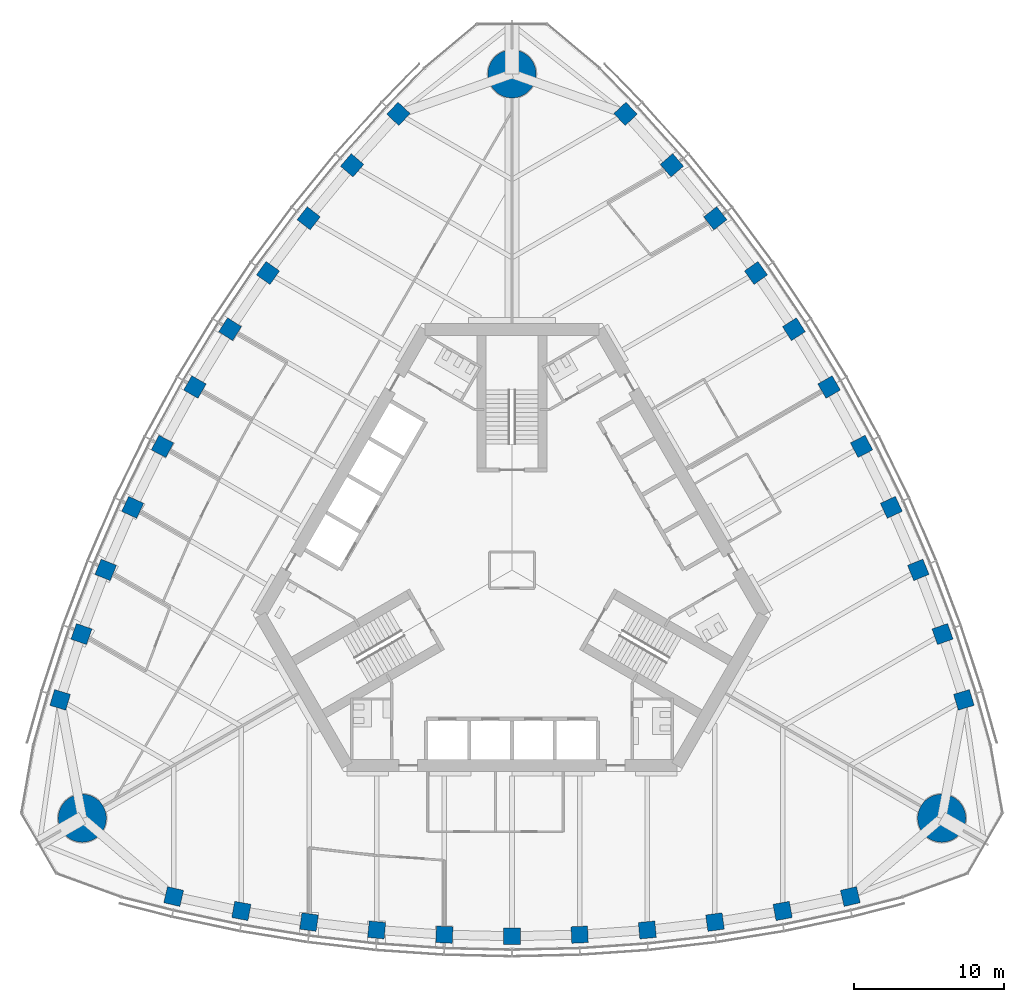
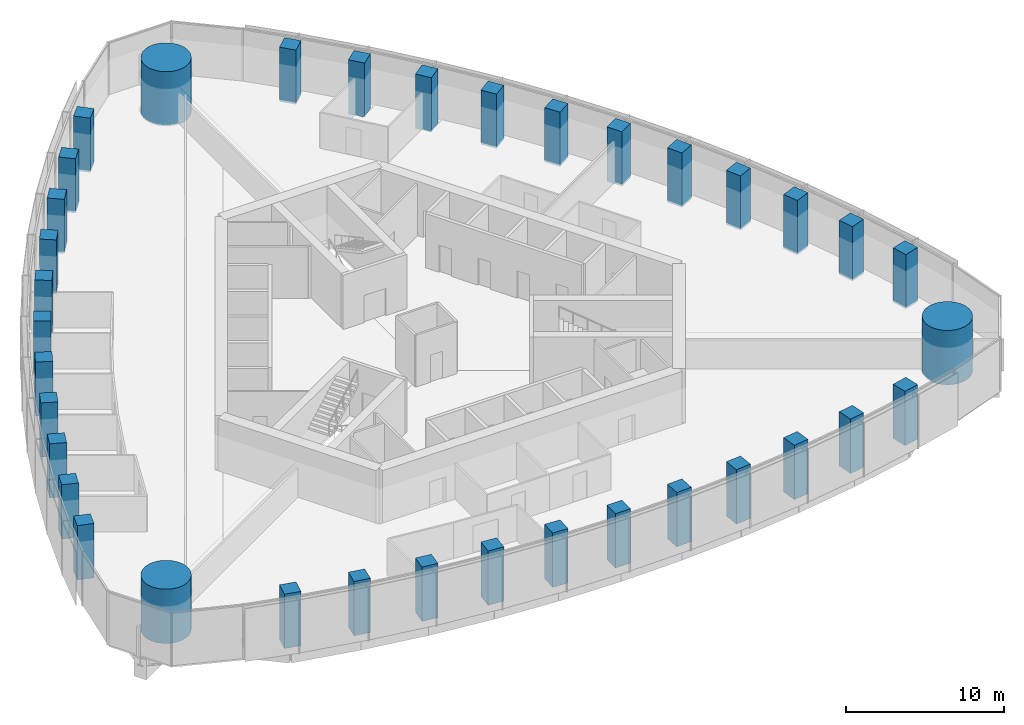
# One storey, part 1 of 19: 36 columns.
"""IFC4 building model written with IfcOpenShell, lengths in metres."""

from ifc_helpers import new_model, si_unit, direction, frame, origin, origin_2d, place, context, subcontext, project, spatial, rectangle, circle, extrude, material, material_profile, profile_set, type_object, element, save


model = new_model("IFC4")

# Units and contexts
model_context = context("Model", 3, precision=1e-05, world=origin(), true_north=direction((0.0, 1.0)))
body_context = subcontext(model_context, "Body", "Model", "MODEL_VIEW")
ifc_project = project(units=[si_unit("LENGTHUNIT", "METRE"), si_unit("AREAUNIT", "SQUARE_METRE"), si_unit("VOLUMEUNIT", "CUBIC_METRE"), si_unit("PLANEANGLEUNIT", "RADIAN"), si_unit("MASSUNIT", "GRAM", prefix="KILO")], contexts=[model_context])

# Site, building, storey
site_placement = place(None, origin())
site = spatial("IfcSite", under=ifc_project, at=site_placement, CompositionType="ELEMENT")
building_placement = place(site_placement, origin())
building = spatial("IfcBuilding", under=site, at=building_placement, Name="Trefoil Bronze Tower", CompositionType="ELEMENT")
storey_placement = place(building_placement, frame((0.0, 0.0, 206.5)))
storey = spatial("IfcBuildingStorey", under=building, at=storey_placement, Name="L47", CompositionType="ELEMENT", Elevation=206.5)

# Columns
ifc_material_1 = material(Name="Concrete B80", Category="concrete")
ifc_material_profile_1 = material_profile(ifc_material_1, circle(Radius=1.60009765625, at=origin_2d()), Name="RC D3200")
ifc_profile_set_1 = profile_set([ifc_material_profile_1], Name="Concrete B80")
column_type_1 = type_object("IfcColumnType", Name="Mega column RC D3200", PredefinedType="COLUMN", material=ifc_profile_set_1)
for number, where, z_axis, x_axis, name in (
    (1, (28.578857421875, -16.5, 0.0), (0.0, 0.0, 1.0), (1.0, 0.0, 0.0), "Mega column K1 L47"),
    (2, (0.0, 33.0, 0.0), (0.0, 0.0, 1.0), (1.0, 0.0, 0.0), "Mega column K2 L47"),
    (3, (-28.578857421875, -16.5, 0.0), (0.0, 0.0, 1.0), (1.0, 0.0, 0.0), "Mega column K3 L47"),
):
    element("IfcColumn", number, at=place(storey_placement, frame(where, z_axis=z_axis, x_axis=x_axis)), inside=storey, type_object=column_type_1, Name=name, PredefinedType="COLUMN", context=body_context, shape_type="SweptSolid", body=[
        extrude(circle(Radius=1.60009765625, at=origin_2d()), origin(), (0.0, 0.0, 1.0), 4.199951171875),
    ])
ifc_material_2 = material(Name="Concrete B80", Category="concrete")
ifc_material_profile_2 = material_profile(ifc_material_2, rectangle(XDim=1.10009765625, YDim=1.10009765625, at=origin_2d()), Name="RC 1100x1100")
ifc_profile_set_2 = profile_set([ifc_material_profile_2], Name="Concrete B80")
column_type_2 = type_object("IfcColumnType", Name="Tube column RC 1100x1100", PredefinedType="COLUMN", material=ifc_profile_set_2)
for number, where, z_axis, x_axis, name in (
    (4, (-22.5, -21.71044921875, 0.0), (0.0, 0.0, 1.0), (0.973875487093, -0.227082662569, 0.0), "Tube column F1/-5 L47"),
    (5, (-18.0, -22.6689453125, 0.0), (0.0, 0.0, 1.0), (0.982958917767, -0.183825368167, 0.0), "Tube column F1/-4 L47"),
    (6, (-13.5, -23.408447265625, 0.0), (0.0, 0.0, 1.0), (0.990450627582, -0.137867887204, 0.0), "Tube column F1/-3 L47"),
    (7, (-9.0, -23.932861328125, 0.0), (0.0, 0.0, 1.0), (0.995767189263, -0.091911396394, 0.0), "Tube column F1/-2 L47"),
    (8, (-4.5, -24.246337890625, 0.0), (0.0, 0.0, 1.0), (0.998943485952, -0.045955542372, 0.0), "Tube column F1/-1 L47"),
    (9, (0.0, -24.3505859375, 0.0), (0.0, 0.0, 1.0), (1.0, 0.0, 0.0), "Tube column F1/+0 L47"),
    (10, (4.5, -24.246337890625, 0.0), (0.0, 0.0, 1.0), (0.998943485952, 0.045955542372, 0.0), "Tube column F1/+1 L47"),
    (11, (9.0, -23.932861328125, 0.0), (0.0, 0.0, 1.0), (0.995767189263, 0.091911396394, 0.0), "Tube column F1/+2 L47"),
    (12, (13.5, -23.408447265625, 0.0), (0.0, 0.0, 1.0), (0.990450627582, 0.137867887204, 0.0), "Tube column F1/+3 L47"),
    (13, (18.0, -22.6689453125, 0.0), (0.0, 0.0, 1.0), (0.982958917767, 0.183825368167, 0.0), "Tube column F1/+4 L47"),
    (14, (22.5, -21.71044921875, 0.0), (0.0, 0.0, 1.0), (0.973875487093, 0.227082662569, 0.0), "Tube column F1/+5 L47"),
    (15, (30.052001953125, -8.63037109375, 0.0), (0.0, 0.0, 1.0), (-0.290278389002, 0.95694224323, 0.0), "Tube column F2/-5 L47"),
    (16, (28.632080078125, -4.25390625, 0.0), (0.0, 0.0, 1.0), (-0.332282020191, 0.943180077746, 0.0), "Tube column F2/-4 L47"),
    (17, (27.022216796875, 0.012939453125, 0.0), (0.0, 0.0, 1.0), (-0.375828221106, 0.926689348282, 0.0), "Tube column F2/-3 L47"),
    (18, (25.2265625, 4.17236328125, 0.0), (0.0, 0.0, 1.0), (-0.418285990457, 0.908315380354, 0.0), "Tube column F2/-2 L47"),
    (19, (23.248046875, 8.22607421875, 0.0), (0.0, 0.0, 1.0), (-0.459673075837, 0.888088206965, 0.0), "Tube column F2/-1 L47"),
    (20, (21.08837890625, 12.17529296875, 0.0), (0.0, 0.0, 1.0), (-0.5, 0.866025403784, 0.0), "Tube column F2/+0 L47"),
    (21, (18.748046875, 16.020263671875, 0.0), (0.0, 0.0, 1.0), (-0.539270410114, 0.842132664593, 0.0), "Tube column F2/+1 L47"),
    (22, (16.2265625, 19.7607421875, 0.0), (0.0, 0.0, 1.0), (-0.577481198806, 0.81640398396, 0.0), "Tube column F2/+2 L47"),
    (23, (13.522216796875, 23.3955078125, 0.0), (0.0, 0.0, 1.0), (-0.614622406476, 0.788821461078, 0.0), "Tube column F2/+3 L47"),
    (24, (10.632080078125, 26.923095703125, 0.0), (0.0, 0.0, 1.0), (-0.650676897576, 0.75935470958, 0.0), "Tube column F2/+4 L47"),
    (25, (7.552001953125, 30.3408203125, 0.0), (0.0, 0.0, 1.0), (-0.683597098091, 0.729859580661, 0.0), "Tube column F2/+5 L47"),
    (26, (-7.552001953125, 30.3408203125, 0.0), (0.0, 0.0, 1.0), (-0.683597098091, -0.729859580661, 0.0), "Tube column F3/-5 L47"),
    (27, (-10.632080078125, 26.923095703125, 0.0), (0.0, 0.0, 1.0), (-0.650676897576, -0.75935470958, 0.0), "Tube column F3/-4 L47"),
    (28, (-13.522216796875, 23.3955078125, 0.0), (0.0, 0.0, 1.0), (-0.614622406476, -0.788821461078, 0.0), "Tube column F3/-3 L47"),
    (29, (-16.2265625, 19.7607421875, 0.0), (0.0, 0.0, 1.0), (-0.577481198806, -0.81640398396, 0.0), "Tube column F3/-2 L47"),
    (30, (-18.748046875, 16.020263671875, 0.0), (0.0, 0.0, 1.0), (-0.539270410114, -0.842132664593, 0.0), "Tube column F3/-1 L47"),
    (31, (-21.08837890625, 12.17529296875, 0.0), (0.0, 0.0, 1.0), (-0.5, -0.866025403784, 0.0), "Tube column F3/+0 L47"),
    (32, (-23.248046875, 8.22607421875, 0.0), (0.0, 0.0, 1.0), (-0.459673075837, -0.888088206965, 0.0), "Tube column F3/+1 L47"),
    (33, (-25.2265625, 4.17236328125, 0.0), (0.0, 0.0, 1.0), (-0.418285990457, -0.908315380354, 0.0), "Tube column F3/+2 L47"),
    (34, (-27.022216796875, 0.012939453125, 0.0), (0.0, 0.0, 1.0), (-0.375828221106, -0.926689348282, 0.0), "Tube column F3/+3 L47"),
    (35, (-28.632080078125, -4.25390625, 0.0), (0.0, 0.0, 1.0), (-0.332282020191, -0.943180077746, 0.0), "Tube column F3/+4 L47"),
    (36, (-30.052001953125, -8.63037109375, 0.0), (0.0, 0.0, 1.0), (-0.290278389002, -0.95694224323, 0.0), "Tube column F3/+5 L47"),
):
    element("IfcColumn", number, at=place(storey_placement, frame(where, z_axis=z_axis, x_axis=x_axis)), inside=storey, type_object=column_type_2, Name=name, PredefinedType="COLUMN", context=body_context, shape_type="SweptSolid", body=[
        extrude(rectangle(XDim=1.10009765625, YDim=1.10009765625, at=origin_2d()), origin(), (0.0, 0.0, 1.0), 4.199951171875),
    ])

save(model, "model.ifc")
